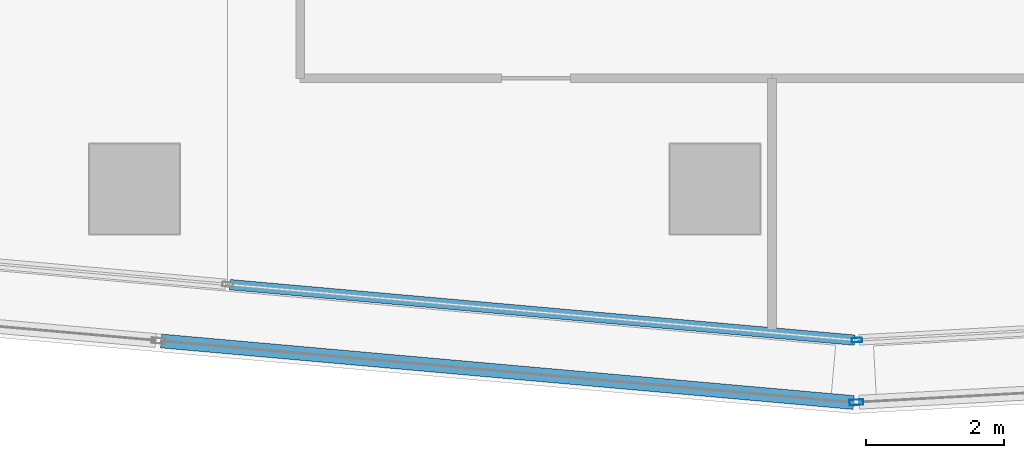
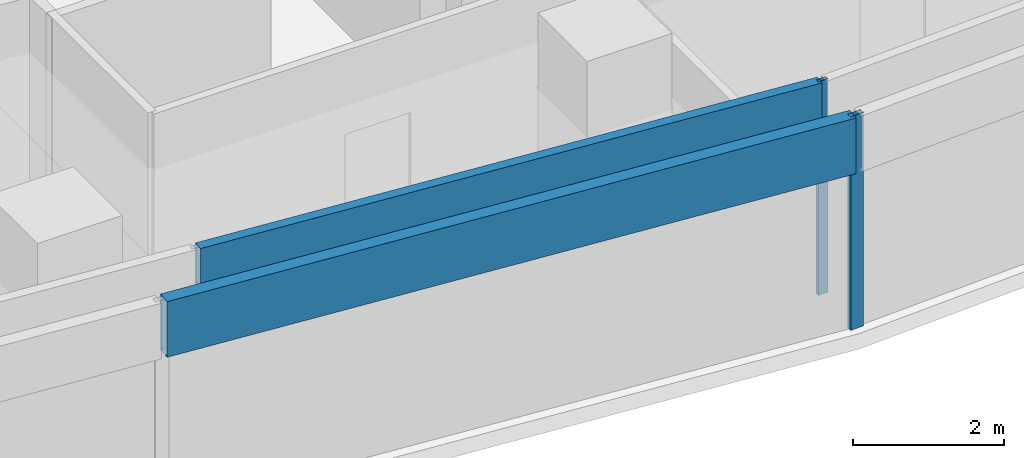
# One storey, part 5 of 30: 4 members, 4 elements without a shape of their own.
"""IFC4 building model written with IfcOpenShell, lengths in metres."""

from ifc_helpers import new_model, si_unit, direction, frame, origin, origin_2d, place, context, subcontext, project, spatial, hollow_rectangle, extrude, material, material_profile, profile_set, type_object, element, aggregate, save


model = new_model("IFC4")

# Units and contexts
model_context = context("Model", 3, precision=1e-05, world=origin(), true_north=direction((0.0, 1.0)))
body_context = subcontext(model_context, "Body", "Model", "MODEL_VIEW")
ifc_project = project(units=[si_unit("LENGTHUNIT", "METRE"), si_unit("AREAUNIT", "SQUARE_METRE"), si_unit("VOLUMEUNIT", "CUBIC_METRE"), si_unit("PLANEANGLEUNIT", "RADIAN"), si_unit("MASSUNIT", "GRAM", prefix="KILO")], contexts=[model_context])

# Site, building, storey
site_placement = place(None, origin())
site = spatial("IfcSite", under=ifc_project, at=site_placement, CompositionType="ELEMENT")
building_placement = place(site_placement, origin())
building = spatial("IfcBuilding", under=site, at=building_placement, Name="Rekha Terrace Tower", CompositionType="ELEMENT")
storey_placement = place(building_placement, frame((0.0, 0.0, 287.60009765625)))
storey = spatial("IfcBuildingStorey", under=building, at=storey_placement, Name="L73", CompositionType="ELEMENT", Elevation=287.60009765625)

# Curtain wall, member
ifc_material_1 = material(Name="Aluminium framing", Category="aluminium")
curtain_wall_type_1 = type_object("IfcCurtainWallType", Name="CW1 double skin inner glazing", PredefinedType="USERDEFINED", material=ifc_material_1)
curtain_wall_1_placement = place(storey_placement, origin())
curtain_wall_1 = element("IfcCurtainWall", 1, at=curtain_wall_1_placement, inside=storey, type_object=curtain_wall_type_1, Name="CW1 double skin inner glazing", ObjectType="DOUBLE SKIN INNER GLAZING", PredefinedType="USERDEFINED")
ifc_material_2 = material(Name="Aluminium mullion section", Category="aluminium")
ifc_material_profile_1 = material_profile(ifc_material_2, hollow_rectangle(XDim=0.06494140625, YDim=0.14990234375, WallThickness=0.00390625, at=origin_2d()), Name="AL RHS 65x150")
ifc_profile_set_1 = profile_set([ifc_material_profile_1], Name="Aluminium mullion section")
member_type_1 = type_object("IfcMemberType", Name="CW1 mullion RHS 65 x 150", PredefinedType="MULLION", material=ifc_profile_set_1)
member_1_placement = place(storey_placement, frame((27.254638671875, 14.6142578125, 0.0), z_axis=(0.0, 0.0, 1.0), x_axis=(-0.054388903036, 0.998519828159, 0.0)))
member_1 = element("IfcMember", 2, at=member_1_placement, type_object=member_type_1, Name="CW1 mullion 1", PredefinedType="MULLION", context=body_context, shape_type="SweptSolid", body=[
    extrude(hollow_rectangle(XDim=0.06494140625, YDim=0.14990234375, WallThickness=0.00390625, at=origin_2d()), origin(), (0.0, 0.0, 1.0), 3.449951171875),
])
aggregate(curtain_wall_1, [member_1])

curtain_wall_2_placement = place(storey_placement, origin())
curtain_wall_2 = element("IfcCurtainWall", 3, at=curtain_wall_2_placement, inside=storey, type_object=curtain_wall_type_1, Name="CW1 double skin inner glazing", ObjectType="DOUBLE SKIN INNER GLAZING", PredefinedType="USERDEFINED")
ifc_material_3 = material(Name="Insulated aluminium spandrel box", Category="aluminium")
ifc_material_profile_2 = material_profile(ifc_material_3, hollow_rectangle(XDim=0.14990234375, YDim=0.89990234375, WallThickness=0.0029296875, at=origin_2d()), Name="AL SPANDREL BOX 150x900")
ifc_profile_set_2 = profile_set([ifc_material_profile_2], Name="Insulated aluminium spandrel box")
member_type_2 = type_object("IfcMemberType", Name="CW1 spandrel transom 150 x 900", PredefinedType="USERDEFINED", material=ifc_profile_set_2)
member_2_placement = place(storey_placement, frame((18.181884765625, 15.416015625, 3.0), z_axis=(0.996073747712, -0.088527335432, 0.0), x_axis=(0.088527335432, 0.996073747712, 0.0)))
member_2 = element("IfcMember", 4, at=member_2_placement, type_object=member_type_2, Name="CW1 spandrel transom 2", ObjectType="TRANSOM", PredefinedType="USERDEFINED", context=body_context, shape_type="SweptSolid", body=[
    extrude(hollow_rectangle(XDim=0.14990234375, YDim=0.89990234375, WallThickness=0.0029296875, at=origin_2d()), origin(), (0.0, 0.0, 1.0), 9.075927734375),
])
aggregate(curtain_wall_2, [member_2])

curtain_wall_type_2 = type_object("IfcCurtainWallType", Name="CW2 double skin outer glazing", PredefinedType="USERDEFINED", material=ifc_material_1)
curtain_wall_3_placement = place(storey_placement, origin())
curtain_wall_3 = element("IfcCurtainWall", 5, at=curtain_wall_3_placement, inside=storey, type_object=curtain_wall_type_2, Name="CW2 double skin outer glazing", ObjectType="DOUBLE SKIN OUTER GLAZING", PredefinedType="USERDEFINED")
ifc_material_profile_3 = material_profile(ifc_material_2, hollow_rectangle(XDim=0.080078125, YDim=0.199951171875, WallThickness=0.00390625, at=origin_2d()), Name="AL RHS 80x200")
ifc_profile_set_3 = profile_set([ifc_material_profile_3], Name="Aluminium mullion section")
member_type_3 = type_object("IfcMemberType", Name="CW2 mullion RHS 80 x 200", PredefinedType="MULLION", material=ifc_profile_set_3)
member_3_placement = place(storey_placement, frame((27.24658203125, 13.712646484375, 0.0), z_axis=(0.0, 0.0, 1.0), x_axis=(-0.054388903071, 0.998519828157, 0.0)))
member_3 = element("IfcMember", 6, at=member_3_placement, type_object=member_type_3, Name="CW2 mullion 1", PredefinedType="MULLION", context=body_context, shape_type="SweptSolid", body=[
    extrude(hollow_rectangle(XDim=0.080078125, YDim=0.199951171875, WallThickness=0.00390625, at=origin_2d()), origin(), (0.0, 0.0, 1.0), 3.449951171875),
])
aggregate(curtain_wall_3, [member_3])

curtain_wall_4_placement = place(storey_placement, origin())
curtain_wall_4 = element("IfcCurtainWall", 7, at=curtain_wall_4_placement, inside=storey, type_object=curtain_wall_type_2, Name="CW2 double skin outer glazing", ObjectType="DOUBLE SKIN OUTER GLAZING", PredefinedType="USERDEFINED")
ifc_material_profile_4 = material_profile(ifc_material_3, hollow_rectangle(XDim=0.199951171875, YDim=0.89990234375, WallThickness=0.0029296875, at=origin_2d()), Name="AL SPANDREL BOX 200x900")
ifc_profile_set_4 = profile_set([ifc_material_profile_4], Name="Insulated aluminium spandrel box")
member_type_4 = type_object("IfcMemberType", Name="CW2 spandrel transom 200 x 900", PredefinedType="USERDEFINED", material=ifc_profile_set_4)
member_4_placement = place(storey_placement, frame((17.188232421875, 14.600830078125, 3.0), z_axis=(0.996074020135, -0.088524270188, 0.0), x_axis=(0.088524270188, 0.996074020135, 0.0)))
member_4 = element("IfcMember", 8, at=member_4_placement, type_object=member_type_4, Name="CW2 spandrel transom 2", ObjectType="TRANSOM", PredefinedType="USERDEFINED", context=body_context, shape_type="SweptSolid", body=[
    extrude(hollow_rectangle(XDim=0.199951171875, YDim=0.89990234375, WallThickness=0.0029296875, at=origin_2d()), origin(), (0.0, 0.0, 1.0), 10.05810546875),
])
aggregate(curtain_wall_4, [member_4])

save(model, "model.ifc")
